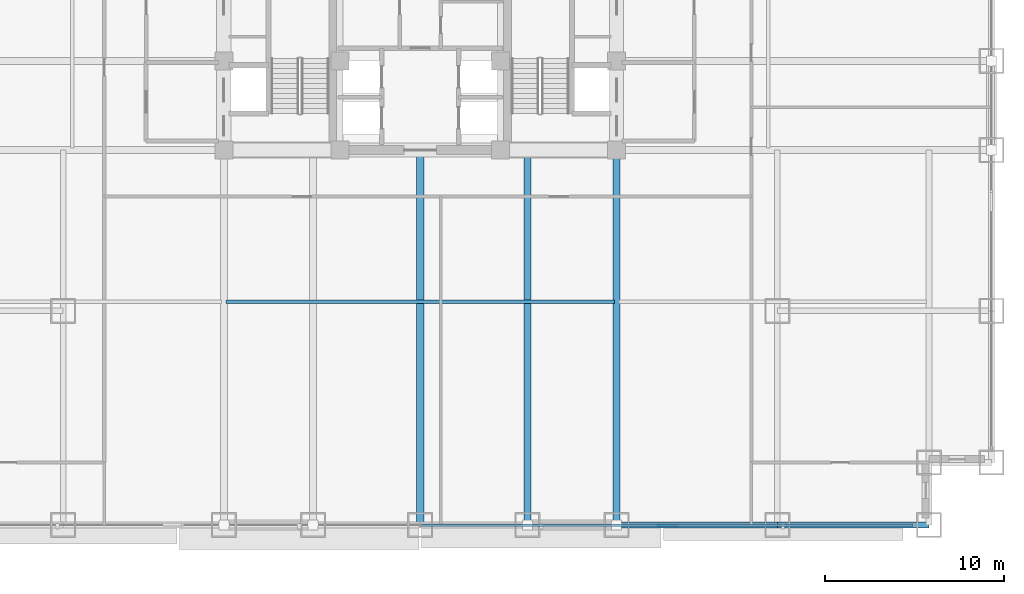
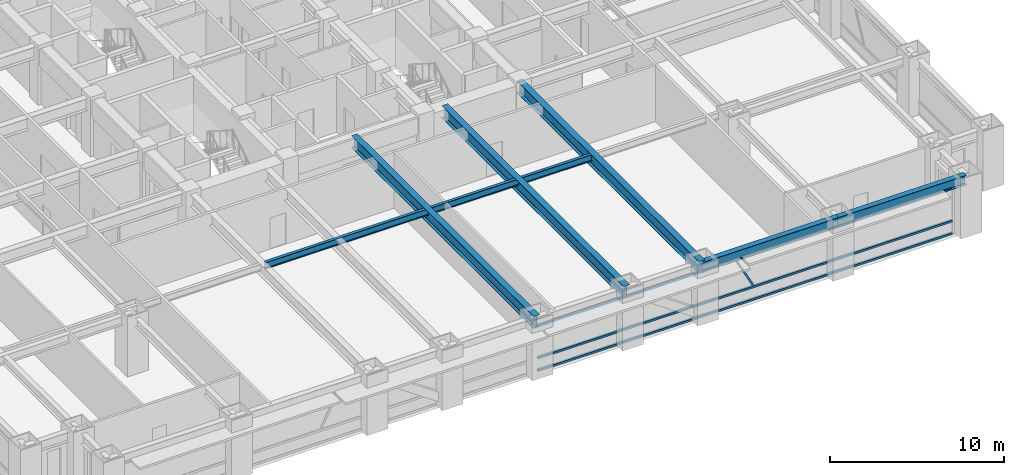
# One storey, part 5 of 32: 6 beams, 4 members, 1 element without a shape of its own.
"""IFC4 building model written with IfcOpenShell, lengths in metres."""

from ifc_helpers import new_model, si_unit, direction, frame, origin, origin_2d, place, context, subcontext, project, spatial, hollow_rectangle, i_section, extrude, source, transform, mapped, material, material_profile, profile_set, type_object, element, aggregate, save


model = new_model("IFC4")

# Units and contexts
model_context = context("Model", 3, precision=1e-05, world=origin(), true_north=direction((0.0, 1.0)))
body_context = subcontext(model_context, "Body", "Model", "MODEL_VIEW")
ifc_project = project(units=[si_unit("LENGTHUNIT", "METRE"), si_unit("AREAUNIT", "SQUARE_METRE"), si_unit("VOLUMEUNIT", "CUBIC_METRE"), si_unit("PLANEANGLEUNIT", "RADIAN"), si_unit("MASSUNIT", "GRAM", prefix="KILO")], contexts=[model_context])

# Site, building, storey
site_placement = place(None, origin())
site = spatial("IfcSite", under=ifc_project, at=site_placement, CompositionType="ELEMENT")
building_placement = place(site_placement, origin())
building = spatial("IfcBuilding", under=site, at=building_placement, Name="Khorayat Bourse Tower", CompositionType="ELEMENT")
storey_placement = place(building_placement, frame((0.0, 0.0, 74.60009765625)))
storey = spatial("IfcBuildingStorey", under=building, at=storey_placement, Name="L16", CompositionType="ELEMENT", Elevation=74.60009765625)

# Beams
ifc_material_1 = material(Name="Steel ASTM A992 Grade 50", Category="steel")
ifc_material_profile_1 = material_profile(ifc_material_1, i_section(OverallWidth=0.35498046875, OverallDepth=0.695068359375, WebThickness=0.015380859375, FlangeThickness=0.02490234375, FilletRadius=0.01806640625, at=origin_2d()), Name="W690X217")
ifc_profile_set_1 = profile_set([ifc_material_profile_1], Name="Steel ASTM A992 Grade 50")
beam_type_1 = type_object("IfcBeamType", Name="BM-SPAN-690", PredefinedType="SPANDREL", material=ifc_profile_set_1)
shared_shape_1 = source(origin(), body_context, "Body", "SweptSolid", [
    extrude(i_section(OverallWidth=0.35498046875, OverallDepth=0.695068359375, WebThickness=0.015380859375, FlangeThickness=0.02490234375, FilletRadius=0.01806640625, at=origin_2d()), origin(), (0.0, 0.0, 1.0), 8.5),
])
beam_1_placement = place(storey_placement, frame((20.0, -32.0, 3.59228515625), z_axis=(1.0, 0.0, 0.0), x_axis=(0.0, 1.0, 0.0)))
element("IfcBeam", 1, at=beam_1_placement, inside=storey, type_object=beam_type_1, Name="L16 BM-SPAN-690 BM-L16-SPN-031", PredefinedType="SPANDREL", context=body_context, shape_type="MappedRepresentation", body=[
    mapped(shared_shape_1, transform((0.0, 0.0, 0.0), scale=1.0)),
])
shared_shape_2 = source(origin(), body_context, "Body", "SweptSolid", [
    extrude(i_section(OverallWidth=0.35498046875, OverallDepth=0.695068359375, WebThickness=0.015380859375, FlangeThickness=0.02490234375, FilletRadius=0.01806640625, at=origin_2d()), origin(), (0.0, 0.0, 1.0), 9.0),
])
beam_2_placement = place(storey_placement, frame((11.0, -32.0, 3.59228515625), z_axis=(1.0, 0.0, 0.0), x_axis=(0.0, 1.0, 0.0)))
element("IfcBeam", 2, at=beam_2_placement, inside=storey, type_object=beam_type_1, Name="L16 BM-SPAN-690 BM-L16-SPN-030", PredefinedType="SPANDREL", context=body_context, shape_type="MappedRepresentation", body=[
    mapped(shared_shape_2, transform((0.0, 0.0, 0.0), scale=1.0)),
])
ifc_material_profile_2 = material_profile(ifc_material_1, i_section(OverallWidth=0.39990234375, OverallDepth=0.85498046875, WebThickness=0.018310546875, FlangeThickness=0.029296875, FilletRadius=0.02001953125, at=origin_2d()), Name="W840X299")
ifc_profile_set_2 = profile_set([ifc_material_profile_2], Name="Steel ASTM A992 Grade 50")
beam_type_2 = type_object("IfcBeamType", Name="BM-GIRD-840", PredefinedType="BEAM", material=ifc_profile_set_2)
shared_shape_3 = source(origin(), body_context, "Body", "SweptSolid", [
    extrude(i_section(OverallWidth=0.39990234375, OverallDepth=0.85498046875, WebThickness=0.018310546875, FlangeThickness=0.029296875, FilletRadius=0.02001953125, at=origin_2d()), origin(), (0.0, 0.0, 1.0), 21.0),
])
for number, where, z_axis, x_axis, name in (
    (3, (0.0, -32.0, 3.512451171875), (0.0, 1.0, 0.0), (-1.0, 0.0, 0.0), "L16 BM-GIRD-840 BM-L16-RADY-069"),
    (4, (6.0, -32.0, 3.512451171875), (0.0, 1.0, 0.0), (-1.0, 0.0, 0.0), "L16 BM-GIRD-840 BM-L16-RADY-071"),
    (5, (11.0, -32.0, 3.512451171875), (0.0, 1.0, 0.0), (-1.0, 0.0, 0.0), "L16 BM-GIRD-840 BM-L16-RADY-073"),
):
    element("IfcBeam", number, at=place(storey_placement, frame(where, z_axis=z_axis, x_axis=x_axis)), inside=storey, type_object=beam_type_2, Name=name, PredefinedType="BEAM", context=body_context, shape_type="MappedRepresentation", body=[
        mapped(shared_shape_3, transform((0.0, 0.0, 0.0), scale=1.0)),
    ])
ifc_material_profile_3 = material_profile(ifc_material_1, i_section(OverallWidth=0.194091796875, OverallDepth=0.468994140625, WebThickness=0.0126953125, FlangeThickness=0.0205078125, FilletRadius=0.012939453125, at=origin_2d()), Name="W460X106")
ifc_profile_set_3 = profile_set([ifc_material_profile_3], Name="Steel ASTM A992 Grade 50")
beam_type_3 = type_object("IfcBeamType", Name="BM-JOIST-460", PredefinedType="JOIST", material=ifc_profile_set_3)
shared_shape_4 = source(origin(), body_context, "Body", "SweptSolid", [
    extrude(i_section(OverallWidth=0.194091796875, OverallDepth=0.468994140625, WebThickness=0.0126953125, FlangeThickness=0.0205078125, FilletRadius=0.012939453125, at=origin_2d()), origin(), (0.0, 0.0, 1.0), 21.740234375),
])
beam_3_placement = place(storey_placement, frame((-10.8701171875, -19.5, 3.705322265625), z_axis=(1.0, 0.0, 0.0), x_axis=(0.0, 1.0, 0.0)))
element("IfcBeam", 6, at=beam_3_placement, inside=storey, type_object=beam_type_3, Name="L16 BM-JOIST-460 BM-L16-JSTX-097", PredefinedType="JOIST", context=body_context, shape_type="MappedRepresentation", body=[
    mapped(shared_shape_4, transform((0.0, 0.0, 0.0), scale=1.0)),
])

# Curtain wall, members
ifc_material_2 = material(Name="Aluminium EN AW-6063 T6", Category="aluminium")
curtain_wall_type = type_object("IfcCurtainWallType", Name="CW-SYS-02", PredefinedType="NOTDEFINED", material=ifc_material_2)
curtain_wall_placement = place(storey_placement, origin())
curtain_wall = element("IfcCurtainWall", 7, at=curtain_wall_placement, inside=storey, type_object=curtain_wall_type, Name="L16 Curtain Wall CW-L16-S1", PredefinedType="NOTDEFINED")
ifc_material_profile_4 = material_profile(ifc_material_2, hollow_rectangle(XDim=0.1201171875, YDim=0.1201171875, WallThickness=0.0048828125, at=origin_2d()), Name="ALU 120x120x5")
ifc_profile_set_4 = profile_set([ifc_material_profile_4], Name="Aluminium EN AW-6063 T6")
member_type_1 = type_object("IfcMemberType", Name="CWM-DIAG-120", PredefinedType="MULLION", material=ifc_profile_set_4)
shared_shape_5 = source(origin(), body_context, "Body", "SweptSolid", [
    extrude(hollow_rectangle(XDim=0.1201171875, YDim=0.1201171875, WallThickness=0.0048828125, at=origin_2d()), origin(), (0.0, 0.0, 1.0), 2.22607421875),
])
member_1_placement = place(storey_placement, frame((14.3583984375, -32.0, 1.099853515625), z_axis=(-0.465759992596, 0.0, 0.884911085532), x_axis=(0.0, -1.0, 0.0)))
member_1 = element("IfcMember", 8, at=member_1_placement, type_object=member_type_1, Name="CW-L16-S1 Faceted Diagonal Mullion 2", PredefinedType="MULLION", context=body_context, shape_type="MappedRepresentation", body=[
    mapped(shared_shape_5, transform((0.0, 0.0, 0.0), scale=1.0)),
])
ifc_material_profile_5 = material_profile(ifc_material_2, hollow_rectangle(XDim=0.139892578125, YDim=0.139892578125, WallThickness=0.006103515625, at=origin_2d()), Name="ALU 140x140x6")
ifc_profile_set_5 = profile_set([ifc_material_profile_5], Name="Aluminium EN AW-6063 T6")
member_type_2 = type_object("IfcMemberType", Name="CWT-HORZ-140", PredefinedType="USERDEFINED", material=ifc_profile_set_5)
shared_shape_6 = source(origin(), body_context, "Body", "SweptSolid", [
    extrude(hollow_rectangle(XDim=0.139892578125, YDim=0.139892578125, WallThickness=0.006103515625, at=origin_2d()), origin(), (0.0, 0.0, 1.0), 27.5400390625),
])
member_2_placement = place(storey_placement, frame((0.070068359375, -32.0, 0.06982421875), z_axis=(1.0, 0.0, 0.0), x_axis=(0.0, 1.0, 0.0)))
member_2 = element("IfcMember", 9, at=member_2_placement, type_object=member_type_2, Name="CW-L16-S1 Horizontal Transom 2-1", ObjectType="TRANSOM", PredefinedType="USERDEFINED", context=body_context, shape_type="MappedRepresentation", body=[
    mapped(shared_shape_6, transform((0.0, 0.0, 0.0), scale=1.0)),
])
member_3_placement = place(storey_placement, frame((0.070068359375, -32.0, 0.949951171875), z_axis=(1.0, 0.0, 0.0), x_axis=(0.0, 1.0, 0.0)))
member_3 = element("IfcMember", 10, at=member_3_placement, type_object=member_type_2, Name="CW-L16-S1 Horizontal Transom 2-2", ObjectType="TRANSOM", PredefinedType="USERDEFINED", context=body_context, shape_type="MappedRepresentation", body=[
    mapped(shared_shape_6, transform((0.0, 0.0, 0.0), scale=1.0)),
])
member_4_placement = place(storey_placement, frame((0.070068359375, -32.0, 3.219970703125), z_axis=(1.0, 0.0, 0.0), x_axis=(0.0, 1.0, 0.0)))
member_4 = element("IfcMember", 11, at=member_4_placement, type_object=member_type_2, Name="CW-L16-S1 Horizontal Transom 2-3", ObjectType="TRANSOM", PredefinedType="USERDEFINED", context=body_context, shape_type="MappedRepresentation", body=[
    mapped(shared_shape_6, transform((0.0, 0.0, 0.0), scale=1.0)),
])
aggregate(curtain_wall, [member_2, member_3, member_4, member_1])

save(model, "model.ifc")
